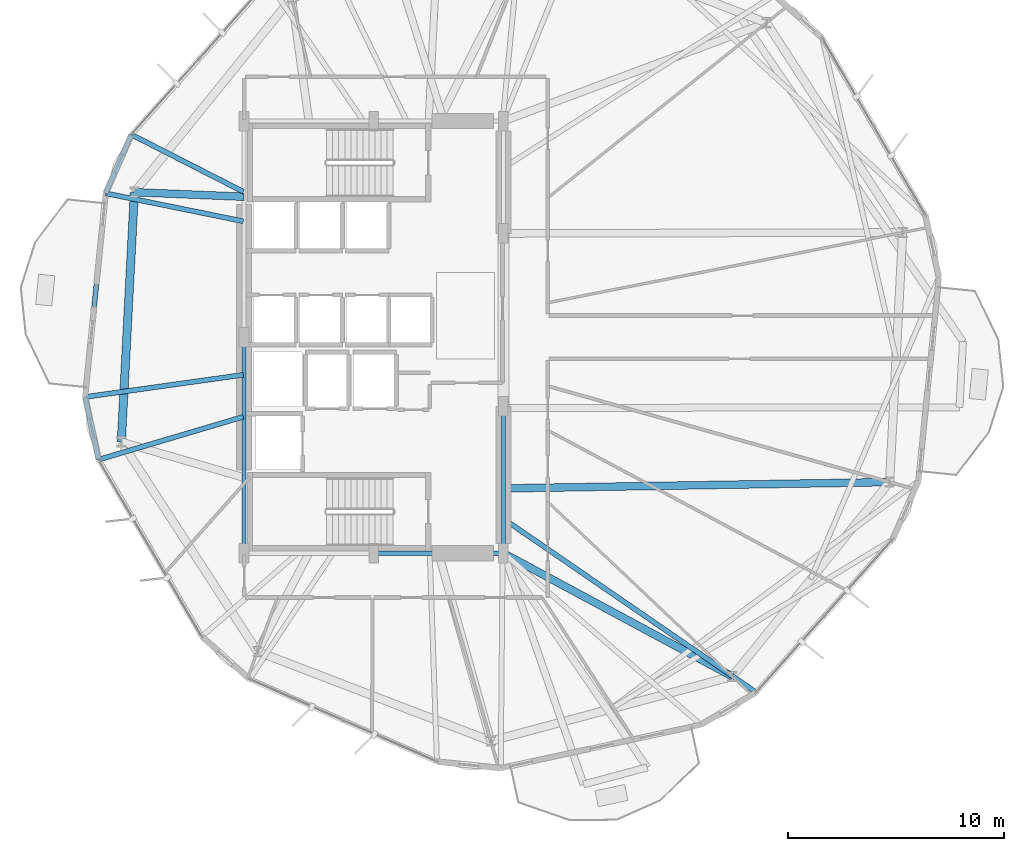
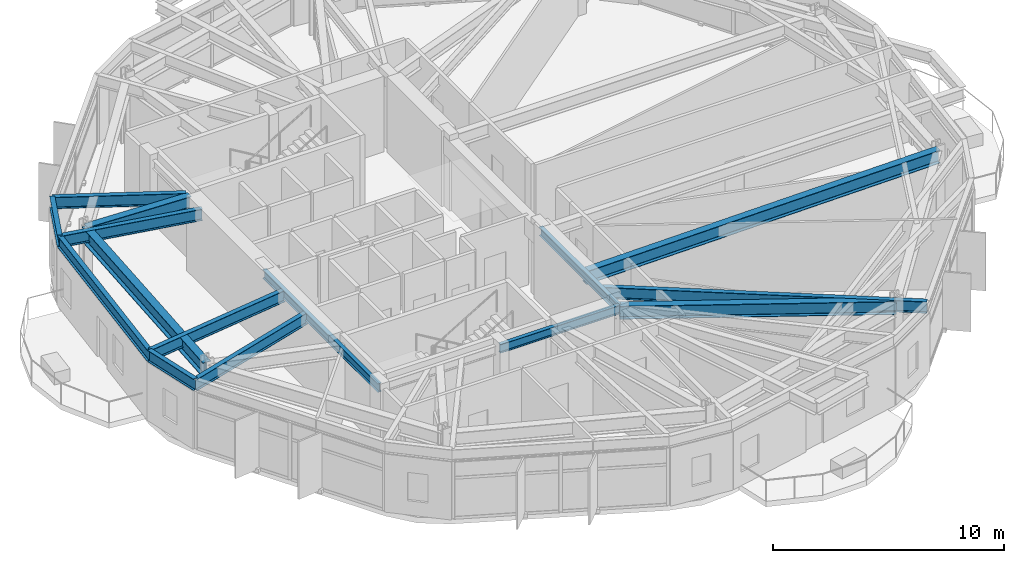
# One storey, part 5 of 22: 15 beams.
"""IFC4 building model written with IfcOpenShell, lengths in metres."""

import ifcopenshell
import ifcopenshell.guid

model = None  # the IFC model being written
_history = None  # IfcOwnerHistory: only IFC2X3 demands one
_inside = {}  # id of a spatial element -> (the spatial element, [elements in it])
_under = {}  # id of a project, library or spatial element -> (it, [spatial elements below it])
_declared = {}  # id of a project -> (the project, [libraries it declares])
_typed = {}  # id of a type object -> (the type object, [elements of that type])
_made_of = {}  # id of a material, layer set ... -> (it, [elements and type objects made of it])


def new_model(schema):
    """Start an empty IFC model of exactly this schema.

    Asked for "IFC4X3", IfcOpenShell would pick the latest addendum, in which some entities
    have other attributes; the version numbers below select the first issue.
    IFC2X3 requires an IfcOwnerHistory on every rooted entity: one is made here for all.
    """
    global model, _history
    if schema == "IFC4X3":
        model = ifcopenshell.file(schema_version=(4, 3, 0, 0))
    else:
        model = ifcopenshell.file(schema=schema)
    _inside.clear()
    _under.clear()
    _declared.clear()
    _typed.clear()
    _made_of.clear()
    _history = None
    if model.schema == "IFC2X3":
        org = make("IfcOrganization", Name="unknown")
        user = make(
            "IfcPersonAndOrganization",
            ThePerson=make("IfcPerson", FamilyName="unknown"),
            TheOrganization=org,
        )
        app = make(
            "IfcApplication",
            ApplicationDeveloper=org,
            Version="unknown",
            ApplicationFullName="unknown",
            ApplicationIdentifier="unknown",
        )
        _history = make(
            "IfcOwnerHistory",
            OwningUser=user,
            OwningApplication=app,
            ChangeAction="ADDED",
            CreationDate=0,
        )
    return model


def make(cls, **values):
    """One entity of the class cls with the attributes given. An attribute that is None is left unset."""
    return model.create_entity(
        cls, **{name: value for name, value in values.items() if value is not None}
    )


def rooted(cls, **values):
    """An entity with a GlobalId (a new one), such as an element, a storey or a relation."""
    return make(cls, GlobalId=ifcopenshell.guid.new(), OwnerHistory=_history, **values)


def si_unit(unit_type, name, prefix=None):
    """IfcSIUnit, for example si_unit("LENGTHUNIT", "METRE", prefix="MILLI")."""
    return make("IfcSIUnit", UnitType=unit_type, Prefix=prefix, Name=name)


def assignment(units):
    """IfcUnitAssignment: the units of a project."""
    return None if units is None else make("IfcUnitAssignment", Units=units)


def point(xyz):
    """IfcCartesianPoint."""
    return None if xyz is None else make("IfcCartesianPoint", Coordinates=xyz)


def direction(xyz):
    """IfcDirection."""
    return None if xyz is None else make("IfcDirection", DirectionRatios=xyz)


def frame(location, z_axis=None, x_axis=None):
    """IfcAxis2Placement3D, a coordinate frame: its origin and axes. An axis left out is left unset."""
    return make(
        "IfcAxis2Placement3D",
        Location=point(location),
        Axis=direction(z_axis),
        RefDirection=direction(x_axis),
    )


def frame_2d(location, x_axis=None):
    """IfcAxis2Placement2D, a coordinate frame in the plane: its origin and x axis."""
    return make(
        "IfcAxis2Placement2D", Location=point(location), RefDirection=direction(x_axis)
    )


def origin():
    """The frame at (0, 0, 0) with its axes left unset."""
    return frame((0.0, 0.0, 0.0))


def origin_2d():
    """The frame at (0, 0) in the plane with its x axis left unset."""
    return frame_2d((0.0, 0.0))


def place(relative_to, where):
    """IfcLocalPlacement: puts the frame where relative to a parent placement (None: the world)."""
    return make(
        "IfcLocalPlacement", PlacementRelTo=relative_to, RelativePlacement=where
    )


def context(
    kind, dimensions, precision=None, world=None, true_north=None, identifier=None
):
    """IfcGeometricRepresentationContext, for example the 3D "Model" context."""
    return make(
        "IfcGeometricRepresentationContext",
        ContextIdentifier=identifier,
        ContextType=kind,
        CoordinateSpaceDimension=dimensions,
        Precision=precision,
        WorldCoordinateSystem=world,
        TrueNorth=true_north,
    )


def subcontext(parent, identifier, kind, view, scale=None):
    """IfcGeometricRepresentationSubContext, for example "Body" below "Model"."""
    return make(
        "IfcGeometricRepresentationSubContext",
        ContextIdentifier=identifier,
        ContextType=kind,
        ParentContext=parent,
        TargetScale=scale,
        TargetView=view,
    )


def project(units=None, contexts=None):
    """IfcProject with its units and contexts."""
    return rooted(
        "IfcProject",
        Name="project",
        RepresentationContexts=contexts,
        UnitsInContext=assignment(units),
    )


def spatial(cls, under=None, at=None, **own):
    """A site, building, storey or space (cls), placed at a placement, below another one or the project."""
    s = rooted(cls, ObjectPlacement=at, **own)
    if under is not None:
        _under.setdefault(under.id(), (under, []))[1].append(s)
    return s


def profile(cls, at=None, kind="AREA", **sizes):
    """A parametric profile (cls). Its sizes go by their IFC names, for example OverallWidth=200.0."""
    return make(cls, ProfileType=kind, Position=at, **sizes)


def i_section(**sizes):
    """IfcIShapeProfileDef."""
    return profile("IfcIShapeProfileDef", **sizes)


def extrude(swept, where, along, depth):
    """IfcExtrudedAreaSolid: the profile swept, set in the frame where, extruded along a direction by depth."""
    return make(
        "IfcExtrudedAreaSolid",
        SweptArea=swept,
        Position=where,
        ExtrudedDirection=direction(along),
        Depth=depth,
    )


def shape(context_of_items, identifier, shape_type, items):
    """IfcShapeRepresentation: the items that make up one representation, for example the "Body"."""
    return make(
        "IfcShapeRepresentation",
        ContextOfItems=context_of_items,
        RepresentationIdentifier=identifier,
        RepresentationType=shape_type,
        Items=items,
    )


def material(Name=None, Category=None):
    """IfcMaterial."""
    return make("IfcMaterial", Name=Name, Category=Category)


def material_profile(
    of_material, cross_section, Name=None, Category=None, Priority=None
):
    """IfcMaterialProfile: a cross section and its material."""
    return make(
        "IfcMaterialProfile",
        Name=Name,
        Material=of_material,
        Profile=cross_section,
        Priority=Priority,
        Category=Category,
    )


def profile_set(profiles, Name=None, composite=None):
    """IfcMaterialProfileSet."""
    return make(
        "IfcMaterialProfileSet",
        Name=Name,
        MaterialProfiles=profiles,
        CompositeProfile=composite,
    )


def made_of(thing, what):
    """Note that an element or type object is made of a material, layer set ...; save() writes the relation."""
    if what is not None:
        _made_of.setdefault(what.id(), (what, []))[1].append(thing)
    return thing


def type_object(cls, material=None, **own):
    """A type object (cls), such as IfcWallType, which elements share."""
    return made_of(rooted(cls, **own), material)


def element(
    cls,
    number,
    at=None,
    inside=None,
    cuts=None,
    type_object=None,
    material=None,
    context=None,
    identifier="Body",
    shape_type=None,
    held_by="IfcProductDefinitionShape",
    body=None,
    shapes=None,
    **own,
):
    """One element of the class cls, such as IfcWall. Its Tag is "e" and its number.

    at: its placement. inside: the storey or other place that contains it. cuts: it is an
    opening in that element (IfcRelVoidsElement). A single representation is given by context,
    identifier, shape_type and body (its items); several are given by shapes. held_by: the class
    of the entity that holds the representations. save() writes the other relations.
    """
    e = rooted(cls, Tag="e%d" % number, ObjectPlacement=at, **own)
    if body is not None:
        shapes = [shape(context, identifier, shape_type, body)]
    if shapes is not None:
        e.Representation = make(held_by, Representations=shapes)
    if inside is not None:
        _inside.setdefault(inside.id(), (inside, []))[1].append(e)
    if cuts is not None:
        rooted(
            "IfcRelVoidsElement", RelatingBuildingElement=cuts, RelatedOpeningElement=e
        )
    if type_object is not None:
        _typed.setdefault(type_object.id(), (type_object, []))[1].append(e)
    return made_of(e, material)


def aggregate(whole, parts):
    """IfcRelAggregates: a whole, such as a stair, and the parts it consists of."""
    return rooted("IfcRelAggregates", RelatingObject=whole, RelatedObjects=parts)


def save(model, path):
    """Write the relations noted so far, then the file.

    IfcRelAggregates (storeys below a building ...), IfcRelContainedInSpatialStructure (elements
    in a storey), IfcRelDefinesByType, IfcRelAssociatesMaterial and IfcRelDeclares: one each for
    every whole, place, type object, material and project.
    """
    for whole, parts in _under.values():
        aggregate(whole, parts)
    for where, things in _inside.values():
        rooted(
            "IfcRelContainedInSpatialStructure",
            RelatedElements=things,
            RelatingStructure=where,
        )
    for kind, things in _typed.values():
        rooted("IfcRelDefinesByType", RelatedObjects=things, RelatingType=kind)
    for what, things in _made_of.values():
        rooted("IfcRelAssociatesMaterial", RelatedObjects=things, RelatingMaterial=what)
    for by, libraries in _declared.values():
        rooted("IfcRelDeclares", RelatingContext=by, RelatedDefinitions=libraries)
    model.write(path)


model = new_model("IFC4")

# Units and contexts
model_context = context("Model", 3, precision=1e-05, world=origin(), true_north=direction((0.0, 1.0)))
body_context = subcontext(model_context, "Body", "Model", "MODEL_VIEW")
ifc_project = project(units=[si_unit("LENGTHUNIT", "METRE"), si_unit("AREAUNIT", "SQUARE_METRE"), si_unit("VOLUMEUNIT", "CUBIC_METRE"), si_unit("PLANEANGLEUNIT", "RADIAN"), si_unit("MASSUNIT", "GRAM", prefix="KILO")], contexts=[model_context])

# Site, building, storey
site_placement = place(None, origin())
site = spatial("IfcSite", under=ifc_project, at=site_placement, CompositionType="ELEMENT")
building_placement = place(site_placement, origin())
building = spatial("IfcBuilding", under=site, at=building_placement, Name="Soratama Intermodal Tower", CompositionType="ELEMENT")
storey_placement = place(building_placement, frame((0.0, 0.0, 74.60009765625)))
storey = spatial("IfcBuildingStorey", under=building, at=storey_placement, Name="L17", CompositionType="ELEMENT", Elevation=74.60009765625)

# Beams
ifc_material_1 = material(Name="Structural steel ASTM A992 Grade 50", Category="steel")
ifc_material_profile_1 = material_profile(ifc_material_1, i_section(OverallWidth=0.19091796875, OverallDepth=0.4599609375, WebThickness=0.010009765625, FlangeThickness=0.01611328125, FilletRadius=0.010986328125, at=origin_2d()), Name="W18X55")
ifc_profile_set_1 = profile_set([ifc_material_profile_1], Name="Structural steel ASTM A992 Grade 50")
beam_type_1 = type_object("IfcBeamType", Name="BM-FLR-W18X55", PredefinedType="BEAM", material=ifc_profile_set_1)
beam_1_placement = place(storey_placement, frame((38.60009765625, 15.0, 3.469970703125), z_axis=(1.0, 0.0, 0.0), x_axis=(0.0, 1.0, 0.0)))
element("IfcBeam", 1, at=beam_1_placement, inside=storey, type_object=beam_type_1, Name="BM-L17-CRING-02", PredefinedType="BEAM", context=body_context, shape_type="SweptSolid", body=[
    extrude(i_section(OverallWidth=0.19091796875, OverallDepth=0.4599609375, WebThickness=0.010009765625, FlangeThickness=0.01611328125, FilletRadius=0.010986328125, at=origin_2d()), origin(), (0.0, 0.0, 1.0), 6.0),
])
beam_2_placement = place(storey_placement, frame((44.60009765625, 15.0, 3.469970703125), z_axis=(0.0, 1.0, 0.0), x_axis=(-1.0, 0.0, 0.0)))
element("IfcBeam", 2, at=beam_2_placement, inside=storey, type_object=beam_type_1, Name="BM-L17-CRING-03", PredefinedType="BEAM", context=body_context, shape_type="SweptSolid", body=[
    extrude(i_section(OverallWidth=0.19091796875, OverallDepth=0.4599609375, WebThickness=0.010009765625, FlangeThickness=0.01611328125, FilletRadius=0.010986328125, at=origin_2d()), origin(), (0.0, 0.0, 1.0), 6.800048828125),
])
beam_3_placement = place(storey_placement, frame((32.60009765625, 25.0, 3.469970703125), z_axis=(0.0, -1.0, 0.0), x_axis=(1.0, 0.0, 0.0)))
element("IfcBeam", 3, at=beam_3_placement, inside=storey, type_object=beam_type_1, Name="BM-L17-CRING-09", PredefinedType="BEAM", context=body_context, shape_type="SweptSolid", body=[
    extrude(i_section(OverallWidth=0.19091796875, OverallDepth=0.4599609375, WebThickness=0.010009765625, FlangeThickness=0.01611328125, FilletRadius=0.010986328125, at=origin_2d()), origin(), (0.0, 0.0, 1.0), 10.0),
])
ifc_material_2 = material(Name="Structural steel ASTM A992 Grade 50", Category="steel")
ifc_material_profile_2 = material_profile(ifc_material_2, i_section(OverallWidth=0.35498046875, OverallDepth=0.695068359375, WebThickness=0.015380859375, FlangeThickness=0.02490234375, FilletRadius=0.01611328125, at=origin_2d()), Name="W27X146")
ifc_profile_set_2 = profile_set([ifc_material_profile_2], Name="Structural steel ASTM A992 Grade 50")
beam_type_2 = type_object("IfcBeamType", Name="BM-RING-W27X146", PredefinedType="BEAM", material=ifc_profile_set_2)
beam_4_placement = place(storey_placement, frame((32.60009765625, 31.5, 3.352294921875), z_axis=(-0.999153929645, 0.041126936131, 0.0), x_axis=(-0.041126936131, -0.999153929645, 0.0)))
element("IfcBeam", 4, at=beam_4_placement, inside=storey, type_object=beam_type_2, Name="BM-L17-RAD-05", PredefinedType="BEAM", context=body_context, shape_type="SweptSolid", body=[
    extrude(i_section(OverallWidth=0.35498046875, OverallDepth=0.695068359375, WebThickness=0.015380859375, FlangeThickness=0.02490234375, FilletRadius=0.01611328125, at=origin_2d()), origin(), (0.0, 0.0, 1.0), 5.08154296875),
])
beam_5_placement = place(storey_placement, frame((44.60009765625, 15.0, 3.352294921875), z_axis=(0.880663887759, -0.473741613961, 0.0), x_axis=(0.473741613961, 0.880663887759, 0.0)))
element("IfcBeam", 5, at=beam_5_placement, inside=storey, type_object=beam_type_2, Name="BM-L17-RAD-09", PredefinedType="BEAM", context=body_context, shape_type="SweptSolid", body=[
    extrude(i_section(OverallWidth=0.35498046875, OverallDepth=0.695068359375, WebThickness=0.015380859375, FlangeThickness=0.02490234375, FilletRadius=0.01611328125, at=origin_2d()), origin(), (0.0, 0.0, 1.0), 12.03173828125),
])
beam_6_placement = place(storey_placement, frame((44.60009765625, 18.0, 3.352294921875), z_axis=(0.999867526408, 0.016276659176, 0.0), x_axis=(-0.016276659176, 0.999867526408, 0.0)))
element("IfcBeam", 6, at=beam_6_placement, inside=storey, type_object=beam_type_2, Name="BM-L17-RAD-10", PredefinedType="BEAM", context=body_context, shape_type="SweptSolid", body=[
    extrude(i_section(OverallWidth=0.35498046875, OverallDepth=0.695068359375, WebThickness=0.015380859375, FlangeThickness=0.02490234375, FilletRadius=0.01611328125, at=origin_2d()), origin(), (0.0, 0.0, 1.0), 17.87939453125),
])
ifc_material_3 = material(Name="Structural steel ASTM A992 Grade 50", Category="steel")
ifc_material_profile_3 = material_profile(ifc_material_3, i_section(OverallWidth=0.382080078125, OverallDepth=0.779052734375, WebThickness=0.01806640625, FlangeThickness=0.030029296875, FilletRadius=0.01806640625, at=origin_2d()), Name="W30X191")
ifc_profile_set_3 = profile_set([ifc_material_profile_3], Name="Structural steel ASTM A992 Grade 50")
beam_type_3 = type_object("IfcBeamType", Name="BM-RING-W30X191", PredefinedType="BEAM", material=ifc_profile_set_3)
beam_7_placement = place(storey_placement, frame((27.52294921875, 31.708984375, 3.310302734375), z_axis=(-0.052289698717, -0.998631957935, 0.0), x_axis=(0.998631957935, -0.052289698717, 0.0)))
element("IfcBeam", 7, at=beam_7_placement, inside=storey, type_object=beam_type_3, Name="BM-L17-RING-05", PredefinedType="BEAM", context=body_context, shape_type="SweptSolid", body=[
    extrude(i_section(OverallWidth=0.382080078125, OverallDepth=0.779052734375, WebThickness=0.01806640625, FlangeThickness=0.030029296875, FilletRadius=0.01806640625, at=origin_2d()), origin(), (0.0, 0.0, 1.0), 11.56982421875),
])
ifc_material_4 = material(Name="Structural steel ASTM A992 Grade 50", Category="steel")
ifc_material_profile_4 = material_profile(ifc_material_4, i_section(OverallWidth=0.22900390625, OverallDepth=0.612060546875, WebThickness=0.011962890625, FlangeThickness=0.01953125, FilletRadius=0.012939453125, at=origin_2d()), Name="W24X84")
ifc_profile_set_4 = profile_set([ifc_material_profile_4], Name="Structural steel ASTM A992 Grade 50")
beam_type_4 = type_object("IfcBeamType", Name="BM-SPN-W24X84", PredefinedType="SPANDREL", material=ifc_profile_set_4)
beam_8_placement = place(storey_placement, frame((27.385009765625, 34.375, 3.393798828125), z_axis=(-0.402859965055, -0.915261628473, 0.0), x_axis=(0.915261628473, -0.402859965055, 0.0)))
element("IfcBeam", 8, at=beam_8_placement, inside=storey, type_object=beam_type_4, Name="BS-L17-CRN04", PredefinedType="SPANDREL", context=body_context, shape_type="SweptSolid", body=[
    extrude(i_section(OverallWidth=0.22900390625, OverallDepth=0.612060546875, WebThickness=0.011962890625, FlangeThickness=0.01953125, FilletRadius=0.012939453125, at=origin_2d()), origin(), (0.0, 0.0, 1.0), 2.966552734375),
])
beam_9_placement = place(storey_placement, frame((26.18994140625, 31.659912109375, 3.393798828125), z_axis=(-0.100342860572, -0.994952918651, 0.0), x_axis=(0.994952918651, -0.100342860572, 0.0)))
element("IfcBeam", 9, at=beam_9_placement, inside=storey, type_object=beam_type_4, Name="BS-L17-F05", PredefinedType="SPANDREL", context=body_context, shape_type="SweptSolid", body=[
    extrude(i_section(OverallWidth=0.22900390625, OverallDepth=0.612060546875, WebThickness=0.011962890625, FlangeThickness=0.01953125, FilletRadius=0.012939453125, at=origin_2d()), origin(), (0.0, 0.0, 1.0), 9.476806640625),
])
beam_10_placement = place(storey_placement, frame((25.239013671875, 22.23095703125, 3.393798828125), z_axis=(0.212012761333, -0.977266897542, 0.0), x_axis=(0.977266897542, 0.212012761333, 0.0)))
element("IfcBeam", 10, at=beam_10_placement, inside=storey, type_object=beam_type_4, Name="BS-L17-CRN05", PredefinedType="SPANDREL", context=body_context, shape_type="SweptSolid", body=[
    extrude(i_section(OverallWidth=0.22900390625, OverallDepth=0.612060546875, WebThickness=0.011962890625, FlangeThickness=0.01953125, FilletRadius=0.012939453125, at=origin_2d()), origin(), (0.0, 0.0, 1.0), 2.96630859375),
])
ifc_material_5 = material(Name="Structural steel ASTM A992 Grade 50", Category="steel")
ifc_material_profile_5 = material_profile(ifc_material_5, i_section(OverallWidth=0.22900390625, OverallDepth=0.612060546875, WebThickness=0.011962890625, FlangeThickness=0.01953125, FilletRadius=0.012939453125, at=origin_2d()), Name="W24X84")
ifc_profile_set_5 = profile_set([ifc_material_profile_5], Name="Structural steel ASTM A992 Grade 50")
beam_type_5 = type_object("IfcBeamType", Name="BM-TIE-W24X84", PredefinedType="BEAM", material=ifc_profile_set_5)
beam_11_placement = place(storey_placement, frame((32.56396484375, 31.73291015625, 3.393798828125), z_axis=(-0.890778174721, 0.454438382446, 0.0), x_axis=(-0.454438382446, -0.890778174721, 0.0)))
element("IfcBeam", 11, at=beam_11_placement, inside=storey, type_object=beam_type_5, Name="BM-L17-TIE1-04", PredefinedType="BEAM", context=body_context, shape_type="SweptSolid", body=[
    extrude(i_section(OverallWidth=0.22900390625, OverallDepth=0.612060546875, WebThickness=0.011962890625, FlangeThickness=0.01953125, FilletRadius=0.012939453125, at=origin_2d()), origin(), (0.0, 0.0, 1.0), 5.81396484375),
])
beam_12_placement = place(storey_placement, frame((32.56103515625, 30.364013671875, 3.393798828125), z_axis=(-0.979934176054, 0.199321375172, 0.0), x_axis=(-0.199321375172, -0.979934176054, 0.0)))
element("IfcBeam", 12, at=beam_12_placement, inside=storey, type_object=beam_type_5, Name="BM-L17-TIE0-05", PredefinedType="BEAM", context=body_context, shape_type="SweptSolid", body=[
    extrude(i_section(OverallWidth=0.22900390625, OverallDepth=0.612060546875, WebThickness=0.011962890625, FlangeThickness=0.01953125, FilletRadius=0.012939453125, at=origin_2d()), origin(), (0.0, 0.0, 1.0), 6.50146484375),
])
beam_13_placement = place(storey_placement, frame((32.56005859375, 23.257080078125, 3.393798828125), z_axis=(-0.990319877511, -0.138803963223, 0.0), x_axis=(0.138803963223, -0.990319877511, 0.0)))
element("IfcBeam", 13, at=beam_13_placement, inside=storey, type_object=beam_type_5, Name="BM-L17-TIE1-05", PredefinedType="BEAM", context=body_context, shape_type="SweptSolid", body=[
    extrude(i_section(OverallWidth=0.22900390625, OverallDepth=0.612060546875, WebThickness=0.011962890625, FlangeThickness=0.01953125, FilletRadius=0.012939453125, at=origin_2d()), origin(), (0.0, 0.0, 1.0), 7.392578125),
])
beam_14_placement = place(storey_placement, frame((32.56201171875, 21.31494140625, 3.393798828125), z_axis=(-0.958818571352, -0.28401927264, 0.0), x_axis=(0.28401927264, -0.958818571352, 0.0)))
element("IfcBeam", 14, at=beam_14_placement, inside=storey, type_object=beam_type_5, Name="BM-L17-TIE0-06", PredefinedType="BEAM", context=body_context, shape_type="SweptSolid", body=[
    extrude(i_section(OverallWidth=0.22900390625, OverallDepth=0.612060546875, WebThickness=0.011962890625, FlangeThickness=0.01953125, FilletRadius=0.012939453125, at=origin_2d()), origin(), (0.0, 0.0, 1.0), 6.981689453125),
])
beam_15_placement = place(storey_placement, frame((44.633056640625, 16.574951171875, 3.393798828125), z_axis=(0.82417471641, -0.566335622075, 0.0), x_axis=(0.566335622075, 0.82417471641, 0.0)))
element("IfcBeam", 15, at=beam_15_placement, inside=storey, type_object=beam_type_5, Name="BM-L17-TIE0-09", PredefinedType="BEAM", context=body_context, shape_type="SweptSolid", body=[
    extrude(i_section(OverallWidth=0.22900390625, OverallDepth=0.612060546875, WebThickness=0.011962890625, FlangeThickness=0.01953125, FilletRadius=0.012939453125, at=origin_2d()), origin(), (0.0, 0.0, 1.0), 14.159423828125),
])

save(model, "model.ifc")
